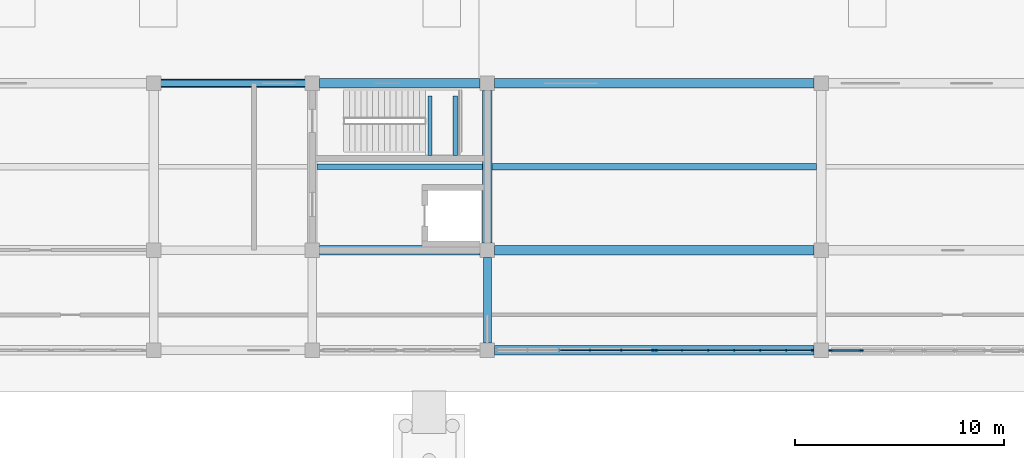
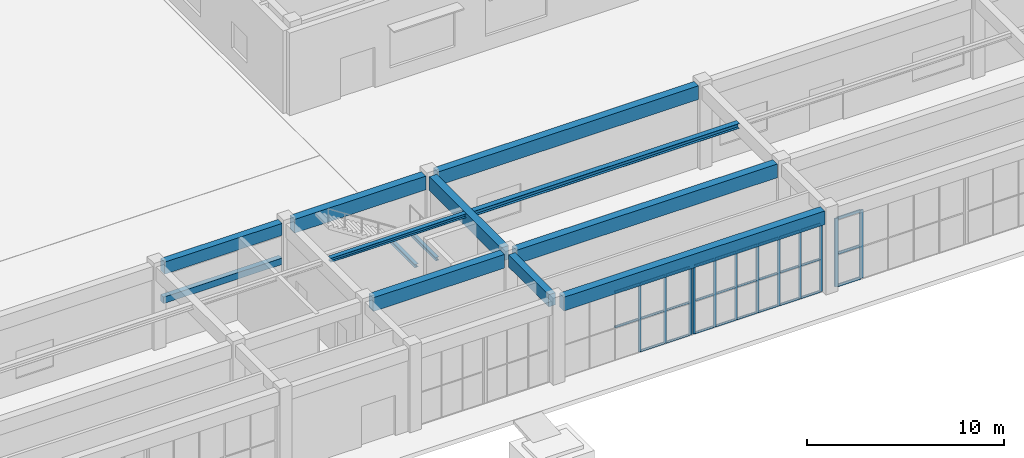
# One storey, part 13 of 46: 41 members, 13 beams, 3 elements without a shape of their own.
"""IFC4 building model written with IfcOpenShell, lengths in metres."""

from ifc_helpers import new_model, si_unit, direction, frame, origin, origin_2d, place, context, subcontext, project, spatial, rectangle, i_section, extrude, material, layer, layer_set, material_profile, profile_set, type_object, element, aggregate, save


model = new_model("IFC4")

# Units and contexts
model_context = context("Model", 3, precision=1e-05, world=origin(), true_north=direction((0.0, 1.0)))
body_context = subcontext(model_context, "Body", "Model", "MODEL_VIEW")
ifc_project = project(units=[si_unit("LENGTHUNIT", "METRE"), si_unit("AREAUNIT", "SQUARE_METRE"), si_unit("VOLUMEUNIT", "CUBIC_METRE"), si_unit("PLANEANGLEUNIT", "RADIAN"), si_unit("MASSUNIT", "GRAM", prefix="KILO")], contexts=[model_context])

# Site, building, storey
site_placement = place(None, origin())
site = spatial("IfcSite", under=ifc_project, at=site_placement, CompositionType="ELEMENT")
building_placement = place(site_placement, origin())
building = spatial("IfcBuilding", under=site, at=building_placement, Name="Cinchona Park Media Centre", CompositionType="ELEMENT")
storey_placement = place(building_placement, origin())
storey = spatial("IfcBuildingStorey", under=building, at=storey_placement, Name="L00", CompositionType="ELEMENT", Elevation=0.0)

# Beams
ifc_material_1 = material(Name="Concrete C35/45", Category="concrete")
ifc_material_profile_1 = material_profile(ifc_material_1, rectangle(XDim=0.39990234375, YDim=0.75, at=origin_2d()), Name="RB 400X750")
ifc_profile_set_1 = profile_set([ifc_material_profile_1], Name="Concrete C35/45")
beam_type_1 = type_object("IfcBeamType", Name="BEAM-B01-RB400X750", PredefinedType="BEAM", material=ifc_profile_set_1)
beam_1_placement = place(storey_placement, frame((79.14990234375, 87.60009765625, 4.764892578125), z_axis=(1.0, 0.0, 0.0), x_axis=(0.0, 1.0, 0.0)))
element("IfcBeam", 1, at=beam_1_placement, inside=storey, type_object=beam_type_1, Name="Beam B01 L00", PredefinedType="BEAM", context=body_context, shape_type="SweptSolid", body=[
    extrude(rectangle(XDim=0.39990234375, YDim=0.75, at=origin_2d()), origin(), (0.0, 0.0, 1.0), 6.900146484375),
])
beam_2_placement = place(storey_placement, frame((94.800048828125, 75.14990234375, 4.764892578125), z_axis=(0.0, 1.0, 0.0), x_axis=(-1.0, 0.0, 0.0)))
element("IfcBeam", 2, at=beam_2_placement, inside=storey, type_object=beam_type_1, Name="Girder B01 L00", PredefinedType="BEAM", context=body_context, shape_type="SweptSolid", body=[
    extrude(rectangle(XDim=0.39990234375, YDim=0.75, at=origin_2d()), origin(), (0.0, 0.0, 1.0), 4.10009765625),
])
ifc_material_2 = material(Name="Concrete C35/45", Category="concrete")
ifc_material_profile_2 = material_profile(ifc_material_2, rectangle(XDim=0.449951171875, YDim=0.85009765625, at=origin_2d()), Name="RB 450X850")
ifc_profile_set_2 = profile_set([ifc_material_profile_2], Name="Concrete C35/45")
beam_type_2 = type_object("IfcBeamType", Name="BEAM-B02-RB450X850", PredefinedType="BEAM", material=ifc_profile_set_2)
beam_3_placement = place(storey_placement, frame((95.14990234375, 74.800048828125, 4.715087890625), z_axis=(1.0, 0.0, 0.0), x_axis=(0.0, 1.0, 0.0)))
element("IfcBeam", 3, at=beam_3_placement, inside=storey, type_object=beam_type_2, Name="Beam B02 L00", PredefinedType="BEAM", context=body_context, shape_type="SweptSolid", body=[
    extrude(rectangle(XDim=0.449951171875, YDim=0.85009765625, at=origin_2d()), origin(), (0.0, 0.0, 1.0), 15.300048828125),
])
beam_4_placement = place(storey_placement, frame((86.75, 79.60009765625, 4.715087890625), z_axis=(1.0, 0.0, 0.0), x_axis=(0.0, 1.0, 0.0)))
element("IfcBeam", 4, at=beam_4_placement, inside=storey, type_object=beam_type_2, Name="Beam B02 L00", PredefinedType="BEAM", context=body_context, shape_type="SweptSolid", body=[
    extrude(rectangle(XDim=0.449951171875, YDim=0.85009765625, at=origin_2d()), origin(), (0.0, 0.0, 1.0), 7.699951171875),
])
beam_5_placement = place(storey_placement, frame((95.14990234375, 79.60009765625, 4.715087890625), z_axis=(1.0, 0.0, 0.0), x_axis=(0.0, 1.0, 0.0)))
element("IfcBeam", 5, at=beam_5_placement, inside=storey, type_object=beam_type_2, Name="Beam B02 L00", PredefinedType="BEAM", context=body_context, shape_type="SweptSolid", body=[
    extrude(rectangle(XDim=0.449951171875, YDim=0.85009765625, at=origin_2d()), origin(), (0.0, 0.0, 1.0), 15.300048828125),
])
beam_6_placement = place(storey_placement, frame((86.75, 87.60009765625, 4.715087890625), z_axis=(1.0, 0.0, 0.0), x_axis=(0.0, 1.0, 0.0)))
element("IfcBeam", 6, at=beam_6_placement, inside=storey, type_object=beam_type_2, Name="Beam B02 L00", PredefinedType="BEAM", context=body_context, shape_type="SweptSolid", body=[
    extrude(rectangle(XDim=0.449951171875, YDim=0.85009765625, at=origin_2d()), origin(), (0.0, 0.0, 1.0), 7.699951171875),
])
beam_7_placement = place(storey_placement, frame((95.14990234375, 87.60009765625, 4.715087890625), z_axis=(1.0, 0.0, 0.0), x_axis=(0.0, 1.0, 0.0)))
element("IfcBeam", 7, at=beam_7_placement, inside=storey, type_object=beam_type_2, Name="Beam B02 L00", PredefinedType="BEAM", context=body_context, shape_type="SweptSolid", body=[
    extrude(rectangle(XDim=0.449951171875, YDim=0.85009765625, at=origin_2d()), origin(), (0.0, 0.0, 1.0), 15.300048828125),
])
beam_8_placement = place(storey_placement, frame((94.800048828125, 79.949951171875, 4.715087890625), z_axis=(0.0, 1.0, 0.0), x_axis=(-1.0, 0.0, 0.0)))
element("IfcBeam", 8, at=beam_8_placement, inside=storey, type_object=beam_type_2, Name="Girder B02 L00", PredefinedType="BEAM", context=body_context, shape_type="SweptSolid", body=[
    extrude(rectangle(XDim=0.449951171875, YDim=0.85009765625, at=origin_2d()), origin(), (0.0, 0.0, 1.0), 7.300048828125),
])
ifc_material_3 = material(Name="Steel S355", Category="steel")
ifc_material_profile_3 = material_profile(ifc_material_3, i_section(OverallWidth=0.202880859375, OverallDepth=0.202880859375, WebThickness=0.007080078125, FlangeThickness=0.010986328125, at=origin_2d()), Name="W200X46")
ifc_profile_set_3 = profile_set([ifc_material_profile_3], Name="Steel S355")
beam_type_3 = type_object("IfcBeamType", Name="BEAM-B10-W200X46", PredefinedType="BEAM", material=ifc_profile_set_3)
for number, where, z_axis, x_axis, name in (
    (9, (92.0400390625, 84.1298828125, 2.3935546875), (0.0, 1.0, 0.0), (-1.0, 0.0, 0.0), "Stair Landing Bearer Beam B10 ST5 L00"),
    (10, (93.260009765625, 84.1298828125, 2.3935546875), (0.0, 1.0, 0.0), (-1.0, 0.0, 0.0), "Stair Landing Bearer Beam B10 ST5 L00"),
):
    element("IfcBeam", number, at=place(storey_placement, frame(where, z_axis=z_axis, x_axis=x_axis)), inside=storey, type_object=beam_type_3, Name=name, PredefinedType="BEAM", context=body_context, shape_type="SweptSolid", body=[
        extrude(i_section(OverallWidth=0.202880859375, OverallDepth=0.202880859375, WebThickness=0.007080078125, FlangeThickness=0.010986328125, at=origin_2d()), origin(), (0.0, 0.0, 1.0), 2.8701171875),
    ])
ifc_material_4 = material(Name="Steel S355", Category="steel")
ifc_material_profile_4 = material_profile(ifc_material_4, i_section(OverallWidth=0.304931640625, OverallDepth=0.30810546875, WebThickness=0.010009765625, FlangeThickness=0.015380859375, at=origin_2d()), Name="W310X97")
ifc_profile_set_4 = profile_set([ifc_material_profile_4], Name="Steel S355")
beam_type_4 = type_object("IfcBeamType", Name="BEAM-J02-W310X97", PredefinedType="JOIST", material=ifc_profile_set_4)
beam_9_placement = place(storey_placement, frame((95.02490234375, 83.60009765625, 4.986083984375), z_axis=(1.0, 0.0, 0.0), x_axis=(0.0, 1.0, 0.0)))
element("IfcBeam", 11, at=beam_9_placement, inside=storey, type_object=beam_type_4, Name="Floor Joist J02 L00", PredefinedType="JOIST", context=body_context, shape_type="SweptSolid", body=[
    extrude(i_section(OverallWidth=0.304931640625, OverallDepth=0.30810546875, WebThickness=0.010009765625, FlangeThickness=0.015380859375, at=origin_2d()), origin(), (0.0, 0.0, 1.0), 15.550048828125),
])
ifc_material_5 = material(Name="Steel S355", Category="steel")
ifc_material_profile_5 = material_profile(ifc_material_5, i_section(OverallWidth=0.25390625, OverallDepth=0.2529296875, WebThickness=0.008544921875, FlangeThickness=0.01416015625, at=origin_2d()), Name="W250X73")
ifc_profile_set_5 = profile_set([ifc_material_profile_5], Name="Steel S355")
beam_type_5 = type_object("IfcBeamType", Name="BEAM-J04-W250X73", PredefinedType="JOIST", material=ifc_profile_set_5)
beam_10_placement = place(storey_placement, frame((86.625, 83.60009765625, 5.013427734375), z_axis=(1.0, 0.0, 0.0), x_axis=(0.0, 1.0, 0.0)))
element("IfcBeam", 12, at=beam_10_placement, inside=storey, type_object=beam_type_5, Name="Floor Joist J04 L00", PredefinedType="JOIST", context=body_context, shape_type="SweptSolid", body=[
    extrude(i_section(OverallWidth=0.25390625, OverallDepth=0.2529296875, WebThickness=0.008544921875, FlangeThickness=0.01416015625, at=origin_2d()), origin(), (0.0, 0.0, 1.0), 7.949951171875),
])
ifc_material_6 = material(Name="Concrete C35/45", Category="concrete")
ifc_material_profile_6 = material_profile(ifc_material_6, rectangle(XDim=0.300048828125, YDim=0.39990234375, at=origin_2d()), Name="RL 300X400")
ifc_profile_set_6 = profile_set([ifc_material_profile_6], Name="Concrete C35/45")
beam_type_6 = type_object("IfcBeamType", Name="BEAM-LN02-RL300X400", PredefinedType="LINTEL", material=ifc_profile_set_6)
beam_11_placement = place(storey_placement, frame((79.1298828125, 87.60009765625, 2.75), z_axis=(1.0, 0.0, 0.0), x_axis=(0.0, 1.0, 0.0)))
element("IfcBeam", 13, at=beam_11_placement, inside=storey, type_object=beam_type_6, Name="Window Lintel LN02", PredefinedType="LINTEL", context=body_context, shape_type="SweptSolid", body=[
    extrude(rectangle(XDim=0.300048828125, YDim=0.39990234375, at=origin_2d()), origin(), (0.0, 0.0, 1.0), 6.940185546875),
])

# Curtain wall, members
ifc_material_7 = material(Name="Aluminium Curtain Wall Framing", Category="aluminium")
ifc_layer_1 = layer(ifc_material_7, 0.22509765625)
ifc_layer_set_1 = layer_set([ifc_layer_1], Name="Aluminium Curtain Wall Framing")
curtain_wall_type_1 = type_object("IfcCurtainWallType", Name="CW-CW04", PredefinedType="USERDEFINED", material=ifc_layer_set_1)
curtain_wall_1_placement = place(storey_placement, origin())
curtain_wall_1 = element("IfcCurtainWall", 14, at=curtain_wall_1_placement, inside=storey, type_object=curtain_wall_type_1, Name="Curtain Wall CW04 L00", ObjectType="UNITISED CURTAIN WALL", PredefinedType="USERDEFINED")
ifc_material_8 = material(Name="Anodised Aluminium Alloy 6063-T6", Category="aluminium")
ifc_material_profile_7 = material_profile(ifc_material_8, rectangle(XDim=0.06494140625, YDim=0.159912109375, at=origin_2d()), Name="MUL-65X160")
ifc_profile_set_7 = profile_set([ifc_material_profile_7], Name="Anodised Aluminium Alloy 6063-T6")
member_type_1 = type_object("IfcMemberType", Name="MULLION-MUL01", PredefinedType="MULLION", material=ifc_profile_set_7)
member_1_placement = place(storey_placement, frame((110.347412109375, 74.800048828125, 0.050048828125), z_axis=(0.0, 0.0, 1.0), x_axis=(0.0, -1.0, 0.0)))
member_1 = element("IfcMember", 15, at=member_1_placement, type_object=member_type_1, Name="CW04 mullion 1", PredefinedType="MULLION", context=body_context, shape_type="SweptSolid", body=[
    extrude(rectangle(XDim=0.06494140625, YDim=0.159912109375, at=origin_2d()), origin(), (0.0, 0.0, 1.0), 4.239990234375),
])
member_2_placement = place(storey_placement, frame((109.1298828125, 74.800048828125, 0.050048828125), z_axis=(0.0, 0.0, 1.0), x_axis=(0.0, -1.0, 0.0)))
member_2 = element("IfcMember", 16, at=member_2_placement, type_object=member_type_1, Name="CW04 mullion 2", PredefinedType="MULLION", context=body_context, shape_type="SweptSolid", body=[
    extrude(rectangle(XDim=0.06494140625, YDim=0.159912109375, at=origin_2d()), origin(), (0.0, 0.0, 1.0), 4.239990234375),
])
member_3_placement = place(storey_placement, frame((107.8798828125, 74.800048828125, 0.050048828125), z_axis=(0.0, 0.0, 1.0), x_axis=(0.0, -1.0, 0.0)))
member_3 = element("IfcMember", 17, at=member_3_placement, type_object=member_type_1, Name="CW04 mullion 3", PredefinedType="MULLION", context=body_context, shape_type="SweptSolid", body=[
    extrude(rectangle(XDim=0.06494140625, YDim=0.159912109375, at=origin_2d()), origin(), (0.0, 0.0, 1.0), 4.239990234375),
])
member_4_placement = place(storey_placement, frame((106.6298828125, 74.800048828125, 0.050048828125), z_axis=(0.0, 0.0, 1.0), x_axis=(0.0, -1.0, 0.0)))
member_4 = element("IfcMember", 18, at=member_4_placement, type_object=member_type_1, Name="CW04 mullion 4", PredefinedType="MULLION", context=body_context, shape_type="SweptSolid", body=[
    extrude(rectangle(XDim=0.06494140625, YDim=0.159912109375, at=origin_2d()), origin(), (0.0, 0.0, 1.0), 4.239990234375),
])
member_5_placement = place(storey_placement, frame((105.3798828125, 74.800048828125, 0.050048828125), z_axis=(0.0, 0.0, 1.0), x_axis=(0.0, -1.0, 0.0)))
member_5 = element("IfcMember", 19, at=member_5_placement, type_object=member_type_1, Name="CW04 mullion 5", PredefinedType="MULLION", context=body_context, shape_type="SweptSolid", body=[
    extrude(rectangle(XDim=0.06494140625, YDim=0.159912109375, at=origin_2d()), origin(), (0.0, 0.0, 1.0), 4.239990234375),
])
member_6_placement = place(storey_placement, frame((104.1298828125, 74.800048828125, 0.050048828125), z_axis=(0.0, 0.0, 1.0), x_axis=(0.0, -1.0, 0.0)))
member_6 = element("IfcMember", 20, at=member_6_placement, type_object=member_type_1, Name="CW04 mullion 6", PredefinedType="MULLION", context=body_context, shape_type="SweptSolid", body=[
    extrude(rectangle(XDim=0.06494140625, YDim=0.159912109375, at=origin_2d()), origin(), (0.0, 0.0, 1.0), 4.239990234375),
])
member_7_placement = place(storey_placement, frame((102.91259765625, 74.800048828125, 0.050048828125), z_axis=(0.0, 0.0, 1.0), x_axis=(0.0, -1.0, 0.0)))
member_7 = element("IfcMember", 21, at=member_7_placement, type_object=member_type_1, Name="CW04 mullion 7", PredefinedType="MULLION", context=body_context, shape_type="SweptSolid", body=[
    extrude(rectangle(XDim=0.06494140625, YDim=0.159912109375, at=origin_2d()), origin(), (0.0, 0.0, 1.0), 4.239990234375),
])

ifc_material_9 = material(Name="Aluminium Curtain Wall Framing", Category="aluminium")
ifc_layer_2 = layer(ifc_material_9, 0.239990234375)
ifc_layer_set_2 = layer_set([ifc_layer_2], Name="Aluminium Curtain Wall Framing")
curtain_wall_type_2 = type_object("IfcCurtainWallType", Name="CW-CW05", PredefinedType="USERDEFINED", material=ifc_layer_set_2)
curtain_wall_2_placement = place(storey_placement, origin())
curtain_wall_2 = element("IfcCurtainWall", 22, at=curtain_wall_2_placement, inside=storey, type_object=curtain_wall_type_2, Name="Curtain Wall CW05 L00", ObjectType="UNITISED CURTAIN WALL", PredefinedType="USERDEFINED")
member_8_placement = place(storey_placement, frame((102.6875, 74.800048828125, 0.050048828125), z_axis=(0.0, 0.0, 1.0), x_axis=(0.0, -1.0, 0.0)))
member_8 = element("IfcMember", 23, at=member_8_placement, type_object=member_type_1, Name="CW05 mullion 1", PredefinedType="MULLION", context=body_context, shape_type="SweptSolid", body=[
    extrude(rectangle(XDim=0.06494140625, YDim=0.159912109375, at=origin_2d()), origin(), (0.0, 0.0, 1.0), 4.239990234375),
])
member_9_placement = place(storey_placement, frame((101.219970703125, 74.800048828125, 0.050048828125), z_axis=(0.0, 0.0, 1.0), x_axis=(0.0, -1.0, 0.0)))
member_9 = element("IfcMember", 24, at=member_9_placement, type_object=member_type_1, Name="CW05 mullion 2", PredefinedType="MULLION", context=body_context, shape_type="SweptSolid", body=[
    extrude(rectangle(XDim=0.06494140625, YDim=0.159912109375, at=origin_2d()), origin(), (0.0, 0.0, 1.0), 4.239990234375),
])
member_10_placement = place(storey_placement, frame((99.719970703125, 74.800048828125, 0.050048828125), z_axis=(0.0, 0.0, 1.0), x_axis=(0.0, -1.0, 0.0)))
member_10 = element("IfcMember", 25, at=member_10_placement, type_object=member_type_1, Name="CW05 mullion 3", PredefinedType="MULLION", context=body_context, shape_type="SweptSolid", body=[
    extrude(rectangle(XDim=0.06494140625, YDim=0.159912109375, at=origin_2d()), origin(), (0.0, 0.0, 1.0), 4.239990234375),
])

ifc_material_10 = material(Name="Aluminium Curtain Wall Framing", Category="aluminium")
ifc_layer_3 = layer(ifc_material_10, 0.27001953125)
ifc_layer_set_3 = layer_set([ifc_layer_3], Name="Aluminium Curtain Wall Framing")
curtain_wall_type_3 = type_object("IfcCurtainWallType", Name="CW-CW07", PredefinedType="USERDEFINED", material=ifc_layer_set_3)
curtain_wall_3_placement = place(storey_placement, origin())
curtain_wall_3 = element("IfcCurtainWall", 26, at=curtain_wall_3_placement, inside=storey, type_object=curtain_wall_type_3, Name="Curtain Wall CW07 L00", ObjectType="UNITISED CURTAIN WALL", PredefinedType="USERDEFINED")
ifc_material_11 = material(Name="Anodised Aluminium Alloy 6063-T6", Category="aluminium")
ifc_material_profile_8 = material_profile(ifc_material_11, rectangle(XDim=0.074951171875, YDim=0.2099609375, at=origin_2d()), Name="MUL-75X210")
ifc_profile_set_8 = profile_set([ifc_material_profile_8], Name="Anodised Aluminium Alloy 6063-T6")
member_type_2 = type_object("IfcMemberType", Name="MULLION-MUL03", PredefinedType="MULLION", material=ifc_profile_set_8)
member_11_placement = place(storey_placement, frame((112.719970703125, 74.800048828125, 0.050048828125), z_axis=(0.0, 0.0, 1.0), x_axis=(0.0, -1.0, 0.0)))
member_11 = element("IfcMember", 27, at=member_11_placement, type_object=member_type_2, Name="CW07 mullion 5", PredefinedType="MULLION", context=body_context, shape_type="SweptSolid", body=[
    extrude(rectangle(XDim=0.074951171875, YDim=0.2099609375, at=origin_2d()), origin(), (0.0, 0.0, 1.0), 4.239990234375),
])
member_12_placement = place(storey_placement, frame((111.257568359375, 74.800048828125, 0.050048828125), z_axis=(0.0, 0.0, 1.0), x_axis=(0.0, -1.0, 0.0)))
member_12 = element("IfcMember", 28, at=member_12_placement, type_object=member_type_2, Name="CW07 mullion 6", PredefinedType="MULLION", context=body_context, shape_type="SweptSolid", body=[
    extrude(rectangle(XDim=0.074951171875, YDim=0.2099609375, at=origin_2d()), origin(), (0.0, 0.0, 1.0), 4.239990234375),
])

# Member
ifc_material_12 = material(Name="Anodised Aluminium Alloy 6063-T6", Category="aluminium")
ifc_material_profile_9 = material_profile(ifc_material_12, rectangle(XDim=0.06494140625, YDim=0.1201171875, at=origin_2d()), Name="TRN-65X120")
ifc_profile_set_9 = profile_set([ifc_material_profile_9], Name="Anodised Aluminium Alloy 6063-T6")
member_type_3 = type_object("IfcMemberType", Name="TRANSOM-TRN01", PredefinedType="USERDEFINED", material=ifc_profile_set_9)
member_13_placement = place(storey_placement, frame((110.31494140625, 74.800048828125, 0.08251953125), z_axis=(-1.0, 0.0, 0.0), x_axis=(0.0, -1.0, 0.0)))
member_13 = element("IfcMember", 29, at=member_13_placement, type_object=member_type_3, Name="CW04 transom 1.1", ObjectType="TRANSOM", PredefinedType="USERDEFINED", context=body_context, shape_type="SweptSolid", body=[
    extrude(rectangle(XDim=0.06494140625, YDim=0.1201171875, at=origin_2d()), origin(), (0.0, 0.0, 1.0), 1.15234375),
])

member_14_placement = place(storey_placement, frame((110.31494140625, 74.800048828125, 2.0849609375), z_axis=(-1.0, 0.0, 0.0), x_axis=(0.0, -1.0, 0.0)))
member_14 = element("IfcMember", 30, at=member_14_placement, type_object=member_type_3, Name="CW04 transom 1.2", ObjectType="TRANSOM", PredefinedType="USERDEFINED", context=body_context, shape_type="SweptSolid", body=[
    extrude(rectangle(XDim=0.06494140625, YDim=0.1201171875, at=origin_2d()), origin(), (0.0, 0.0, 1.0), 1.15234375),
])

member_15_placement = place(storey_placement, frame((110.31494140625, 74.800048828125, 4.257568359375), z_axis=(-1.0, 0.0, 0.0), x_axis=(0.0, -1.0, 0.0)))
member_15 = element("IfcMember", 31, at=member_15_placement, type_object=member_type_3, Name="CW04 transom 1.3", ObjectType="TRANSOM", PredefinedType="USERDEFINED", context=body_context, shape_type="SweptSolid", body=[
    extrude(rectangle(XDim=0.06494140625, YDim=0.1201171875, at=origin_2d()), origin(), (0.0, 0.0, 1.0), 1.15234375),
])

member_16_placement = place(storey_placement, frame((109.097412109375, 74.800048828125, 0.08251953125), z_axis=(-1.0, 0.0, 0.0), x_axis=(0.0, -1.0, 0.0)))
member_16 = element("IfcMember", 32, at=member_16_placement, type_object=member_type_3, Name="CW04 transom 2.1", ObjectType="TRANSOM", PredefinedType="USERDEFINED", context=body_context, shape_type="SweptSolid", body=[
    extrude(rectangle(XDim=0.06494140625, YDim=0.1201171875, at=origin_2d()), origin(), (0.0, 0.0, 1.0), 1.184814453125),
])

member_17_placement = place(storey_placement, frame((109.097412109375, 74.800048828125, 2.0849609375), z_axis=(-1.0, 0.0, 0.0), x_axis=(0.0, -1.0, 0.0)))
member_17 = element("IfcMember", 33, at=member_17_placement, type_object=member_type_3, Name="CW04 transom 2.2", ObjectType="TRANSOM", PredefinedType="USERDEFINED", context=body_context, shape_type="SweptSolid", body=[
    extrude(rectangle(XDim=0.06494140625, YDim=0.1201171875, at=origin_2d()), origin(), (0.0, 0.0, 1.0), 1.184814453125),
])

member_18_placement = place(storey_placement, frame((109.097412109375, 74.800048828125, 4.257568359375), z_axis=(-1.0, 0.0, 0.0), x_axis=(0.0, -1.0, 0.0)))
member_18 = element("IfcMember", 34, at=member_18_placement, type_object=member_type_3, Name="CW04 transom 2.3", ObjectType="TRANSOM", PredefinedType="USERDEFINED", context=body_context, shape_type="SweptSolid", body=[
    extrude(rectangle(XDim=0.06494140625, YDim=0.1201171875, at=origin_2d()), origin(), (0.0, 0.0, 1.0), 1.184814453125),
])

member_19_placement = place(storey_placement, frame((107.847412109375, 74.800048828125, 0.08251953125), z_axis=(-1.0, 0.0, 0.0), x_axis=(0.0, -1.0, 0.0)))
member_19 = element("IfcMember", 35, at=member_19_placement, type_object=member_type_3, Name="CW04 transom 3.1", ObjectType="TRANSOM", PredefinedType="USERDEFINED", context=body_context, shape_type="SweptSolid", body=[
    extrude(rectangle(XDim=0.06494140625, YDim=0.1201171875, at=origin_2d()), origin(), (0.0, 0.0, 1.0), 1.184814453125),
])

member_20_placement = place(storey_placement, frame((107.847412109375, 74.800048828125, 2.0849609375), z_axis=(-1.0, 0.0, 0.0), x_axis=(0.0, -1.0, 0.0)))
member_20 = element("IfcMember", 36, at=member_20_placement, type_object=member_type_3, Name="CW04 transom 3.2", ObjectType="TRANSOM", PredefinedType="USERDEFINED", context=body_context, shape_type="SweptSolid", body=[
    extrude(rectangle(XDim=0.06494140625, YDim=0.1201171875, at=origin_2d()), origin(), (0.0, 0.0, 1.0), 1.184814453125),
])

member_21_placement = place(storey_placement, frame((107.847412109375, 74.800048828125, 4.257568359375), z_axis=(-1.0, 0.0, 0.0), x_axis=(0.0, -1.0, 0.0)))
member_21 = element("IfcMember", 37, at=member_21_placement, type_object=member_type_3, Name="CW04 transom 3.3", ObjectType="TRANSOM", PredefinedType="USERDEFINED", context=body_context, shape_type="SweptSolid", body=[
    extrude(rectangle(XDim=0.06494140625, YDim=0.1201171875, at=origin_2d()), origin(), (0.0, 0.0, 1.0), 1.184814453125),
])

member_22_placement = place(storey_placement, frame((106.597412109375, 74.800048828125, 0.08251953125), z_axis=(-1.0, 0.0, 0.0), x_axis=(0.0, -1.0, 0.0)))
member_22 = element("IfcMember", 38, at=member_22_placement, type_object=member_type_3, Name="CW04 transom 4.1", ObjectType="TRANSOM", PredefinedType="USERDEFINED", context=body_context, shape_type="SweptSolid", body=[
    extrude(rectangle(XDim=0.06494140625, YDim=0.1201171875, at=origin_2d()), origin(), (0.0, 0.0, 1.0), 1.184814453125),
])

member_23_placement = place(storey_placement, frame((106.597412109375, 74.800048828125, 2.0849609375), z_axis=(-1.0, 0.0, 0.0), x_axis=(0.0, -1.0, 0.0)))
member_23 = element("IfcMember", 39, at=member_23_placement, type_object=member_type_3, Name="CW04 transom 4.2", ObjectType="TRANSOM", PredefinedType="USERDEFINED", context=body_context, shape_type="SweptSolid", body=[
    extrude(rectangle(XDim=0.06494140625, YDim=0.1201171875, at=origin_2d()), origin(), (0.0, 0.0, 1.0), 1.184814453125),
])

member_24_placement = place(storey_placement, frame((106.597412109375, 74.800048828125, 4.257568359375), z_axis=(-1.0, 0.0, 0.0), x_axis=(0.0, -1.0, 0.0)))
member_24 = element("IfcMember", 40, at=member_24_placement, type_object=member_type_3, Name="CW04 transom 4.3", ObjectType="TRANSOM", PredefinedType="USERDEFINED", context=body_context, shape_type="SweptSolid", body=[
    extrude(rectangle(XDim=0.06494140625, YDim=0.1201171875, at=origin_2d()), origin(), (0.0, 0.0, 1.0), 1.184814453125),
])

member_25_placement = place(storey_placement, frame((105.347412109375, 74.800048828125, 0.08251953125), z_axis=(-1.0, 0.0, 0.0), x_axis=(0.0, -1.0, 0.0)))
member_25 = element("IfcMember", 41, at=member_25_placement, type_object=member_type_3, Name="CW04 transom 5.1", ObjectType="TRANSOM", PredefinedType="USERDEFINED", context=body_context, shape_type="SweptSolid", body=[
    extrude(rectangle(XDim=0.06494140625, YDim=0.1201171875, at=origin_2d()), origin(), (0.0, 0.0, 1.0), 1.184814453125),
])

member_26_placement = place(storey_placement, frame((105.347412109375, 74.800048828125, 2.0849609375), z_axis=(-1.0, 0.0, 0.0), x_axis=(0.0, -1.0, 0.0)))
member_26 = element("IfcMember", 42, at=member_26_placement, type_object=member_type_3, Name="CW04 transom 5.2", ObjectType="TRANSOM", PredefinedType="USERDEFINED", context=body_context, shape_type="SweptSolid", body=[
    extrude(rectangle(XDim=0.06494140625, YDim=0.1201171875, at=origin_2d()), origin(), (0.0, 0.0, 1.0), 1.184814453125),
])

member_27_placement = place(storey_placement, frame((105.347412109375, 74.800048828125, 4.257568359375), z_axis=(-1.0, 0.0, 0.0), x_axis=(0.0, -1.0, 0.0)))
member_27 = element("IfcMember", 43, at=member_27_placement, type_object=member_type_3, Name="CW04 transom 5.3", ObjectType="TRANSOM", PredefinedType="USERDEFINED", context=body_context, shape_type="SweptSolid", body=[
    extrude(rectangle(XDim=0.06494140625, YDim=0.1201171875, at=origin_2d()), origin(), (0.0, 0.0, 1.0), 1.184814453125),
])

member_28_placement = place(storey_placement, frame((104.097412109375, 74.800048828125, 0.08251953125), z_axis=(-1.0, 0.0, 0.0), x_axis=(0.0, -1.0, 0.0)))
member_28 = element("IfcMember", 44, at=member_28_placement, type_object=member_type_3, Name="CW04 transom 6.1", ObjectType="TRANSOM", PredefinedType="USERDEFINED", context=body_context, shape_type="SweptSolid", body=[
    extrude(rectangle(XDim=0.06494140625, YDim=0.1201171875, at=origin_2d()), origin(), (0.0, 0.0, 1.0), 1.15234375),
])

member_29_placement = place(storey_placement, frame((104.097412109375, 74.800048828125, 2.0849609375), z_axis=(-1.0, 0.0, 0.0), x_axis=(0.0, -1.0, 0.0)))
member_29 = element("IfcMember", 45, at=member_29_placement, type_object=member_type_3, Name="CW04 transom 6.2", ObjectType="TRANSOM", PredefinedType="USERDEFINED", context=body_context, shape_type="SweptSolid", body=[
    extrude(rectangle(XDim=0.06494140625, YDim=0.1201171875, at=origin_2d()), origin(), (0.0, 0.0, 1.0), 1.15234375),
])

member_30_placement = place(storey_placement, frame((104.097412109375, 74.800048828125, 4.257568359375), z_axis=(-1.0, 0.0, 0.0), x_axis=(0.0, -1.0, 0.0)))
member_30 = element("IfcMember", 46, at=member_30_placement, type_object=member_type_3, Name="CW04 transom 6.3", ObjectType="TRANSOM", PredefinedType="USERDEFINED", context=body_context, shape_type="SweptSolid", body=[
    extrude(rectangle(XDim=0.06494140625, YDim=0.1201171875, at=origin_2d()), origin(), (0.0, 0.0, 1.0), 1.15234375),
])

aggregate(curtain_wall_1, [member_1, member_2, member_3, member_4, member_5, member_6, member_7, member_13, member_14, member_15, member_16, member_17, member_18, member_19, member_20, member_21, member_22, member_23, member_24, member_25, member_26, member_27, member_28, member_29, member_30])

member_31_placement = place(storey_placement, frame((102.655029296875, 74.800048828125, 0.08251953125), z_axis=(-1.0, 0.0, 0.0), x_axis=(0.0, -1.0, 0.0)))
member_31 = element("IfcMember", 47, at=member_31_placement, type_object=member_type_3, Name="CW05 transom 1.1", ObjectType="TRANSOM", PredefinedType="USERDEFINED", context=body_context, shape_type="SweptSolid", body=[
    extrude(rectangle(XDim=0.06494140625, YDim=0.1201171875, at=origin_2d()), origin(), (0.0, 0.0, 1.0), 1.402587890625),
])

member_32_placement = place(storey_placement, frame((102.655029296875, 74.800048828125, 2.0849609375), z_axis=(-1.0, 0.0, 0.0), x_axis=(0.0, -1.0, 0.0)))
member_32 = element("IfcMember", 48, at=member_32_placement, type_object=member_type_3, Name="CW05 transom 1.2", ObjectType="TRANSOM", PredefinedType="USERDEFINED", context=body_context, shape_type="SweptSolid", body=[
    extrude(rectangle(XDim=0.06494140625, YDim=0.1201171875, at=origin_2d()), origin(), (0.0, 0.0, 1.0), 1.402587890625),
])

member_33_placement = place(storey_placement, frame((102.655029296875, 74.800048828125, 4.257568359375), z_axis=(-1.0, 0.0, 0.0), x_axis=(0.0, -1.0, 0.0)))
member_33 = element("IfcMember", 49, at=member_33_placement, type_object=member_type_3, Name="CW05 transom 1.3", ObjectType="TRANSOM", PredefinedType="USERDEFINED", context=body_context, shape_type="SweptSolid", body=[
    extrude(rectangle(XDim=0.06494140625, YDim=0.1201171875, at=origin_2d()), origin(), (0.0, 0.0, 1.0), 1.402587890625),
])

member_34_placement = place(storey_placement, frame((101.1875, 74.800048828125, 0.08251953125), z_axis=(-1.0, 0.0, 0.0), x_axis=(0.0, -1.0, 0.0)))
member_34 = element("IfcMember", 50, at=member_34_placement, type_object=member_type_3, Name="CW05 transom 2.1", ObjectType="TRANSOM", PredefinedType="USERDEFINED", context=body_context, shape_type="SweptSolid", body=[
    extrude(rectangle(XDim=0.06494140625, YDim=0.1201171875, at=origin_2d()), origin(), (0.0, 0.0, 1.0), 1.43505859375),
])

member_35_placement = place(storey_placement, frame((101.1875, 74.800048828125, 2.0849609375), z_axis=(-1.0, 0.0, 0.0), x_axis=(0.0, -1.0, 0.0)))
member_35 = element("IfcMember", 51, at=member_35_placement, type_object=member_type_3, Name="CW05 transom 2.2", ObjectType="TRANSOM", PredefinedType="USERDEFINED", context=body_context, shape_type="SweptSolid", body=[
    extrude(rectangle(XDim=0.06494140625, YDim=0.1201171875, at=origin_2d()), origin(), (0.0, 0.0, 1.0), 1.43505859375),
])

member_36_placement = place(storey_placement, frame((101.1875, 74.800048828125, 4.257568359375), z_axis=(-1.0, 0.0, 0.0), x_axis=(0.0, -1.0, 0.0)))
member_36 = element("IfcMember", 52, at=member_36_placement, type_object=member_type_3, Name="CW05 transom 2.3", ObjectType="TRANSOM", PredefinedType="USERDEFINED", context=body_context, shape_type="SweptSolid", body=[
    extrude(rectangle(XDim=0.06494140625, YDim=0.1201171875, at=origin_2d()), origin(), (0.0, 0.0, 1.0), 1.43505859375),
])

member_37_placement = place(storey_placement, frame((99.6875, 74.800048828125, 2.0849609375), z_axis=(-1.0, 0.0, 0.0), x_axis=(0.0, -1.0, 0.0)))
member_37 = element("IfcMember", 53, at=member_37_placement, type_object=member_type_3, Name="CW05 transom 3.2", ObjectType="TRANSOM", PredefinedType="USERDEFINED", context=body_context, shape_type="SweptSolid", body=[
    extrude(rectangle(XDim=0.06494140625, YDim=0.1201171875, at=origin_2d()), origin(), (0.0, 0.0, 1.0), 1.43505859375),
])

member_38_placement = place(storey_placement, frame((99.6875, 74.800048828125, 4.257568359375), z_axis=(-1.0, 0.0, 0.0), x_axis=(0.0, -1.0, 0.0)))
member_38 = element("IfcMember", 54, at=member_38_placement, type_object=member_type_3, Name="CW05 transom 3.3", ObjectType="TRANSOM", PredefinedType="USERDEFINED", context=body_context, shape_type="SweptSolid", body=[
    extrude(rectangle(XDim=0.06494140625, YDim=0.1201171875, at=origin_2d()), origin(), (0.0, 0.0, 1.0), 1.43505859375),
])

aggregate(curtain_wall_2, [member_8, member_9, member_10, member_31, member_32, member_33, member_34, member_35, member_36, member_37, member_38])

ifc_material_13 = material(Name="Anodised Aluminium Alloy 6063-T6", Category="aluminium")
ifc_material_profile_10 = material_profile(ifc_material_13, rectangle(XDim=0.074951171875, YDim=0.159912109375, at=origin_2d()), Name="TRN-75X160")
ifc_profile_set_10 = profile_set([ifc_material_profile_10], Name="Anodised Aluminium Alloy 6063-T6")
member_type_4 = type_object("IfcMemberType", Name="TRANSOM-TRN03", PredefinedType="USERDEFINED", material=ifc_profile_set_10)
member_39_placement = place(storey_placement, frame((112.6826171875, 74.800048828125, 0.08740234375), z_axis=(-1.0, 0.0, 0.0), x_axis=(0.0, -1.0, 0.0)))
member_39 = element("IfcMember", 55, at=member_39_placement, type_object=member_type_4, Name="CW07 transom 5.1", ObjectType="TRANSOM", PredefinedType="USERDEFINED", context=body_context, shape_type="SweptSolid", body=[
    extrude(rectangle(XDim=0.074951171875, YDim=0.159912109375, at=origin_2d()), origin(), (0.0, 0.0, 1.0), 1.3876953125),
])

member_40_placement = place(storey_placement, frame((112.6826171875, 74.800048828125, 2.0849609375), z_axis=(-1.0, 0.0, 0.0), x_axis=(0.0, -1.0, 0.0)))
member_40 = element("IfcMember", 56, at=member_40_placement, type_object=member_type_4, Name="CW07 transom 5.2", ObjectType="TRANSOM", PredefinedType="USERDEFINED", context=body_context, shape_type="SweptSolid", body=[
    extrude(rectangle(XDim=0.074951171875, YDim=0.159912109375, at=origin_2d()), origin(), (0.0, 0.0, 1.0), 1.3876953125),
])

member_41_placement = place(storey_placement, frame((112.6826171875, 74.800048828125, 4.25244140625), z_axis=(-1.0, 0.0, 0.0), x_axis=(0.0, -1.0, 0.0)))
member_41 = element("IfcMember", 57, at=member_41_placement, type_object=member_type_4, Name="CW07 transom 5.3", ObjectType="TRANSOM", PredefinedType="USERDEFINED", context=body_context, shape_type="SweptSolid", body=[
    extrude(rectangle(XDim=0.074951171875, YDim=0.159912109375, at=origin_2d()), origin(), (0.0, 0.0, 1.0), 1.3876953125),
])

aggregate(curtain_wall_3, [member_11, member_12, member_39, member_40, member_41])

save(model, "model.ifc")
